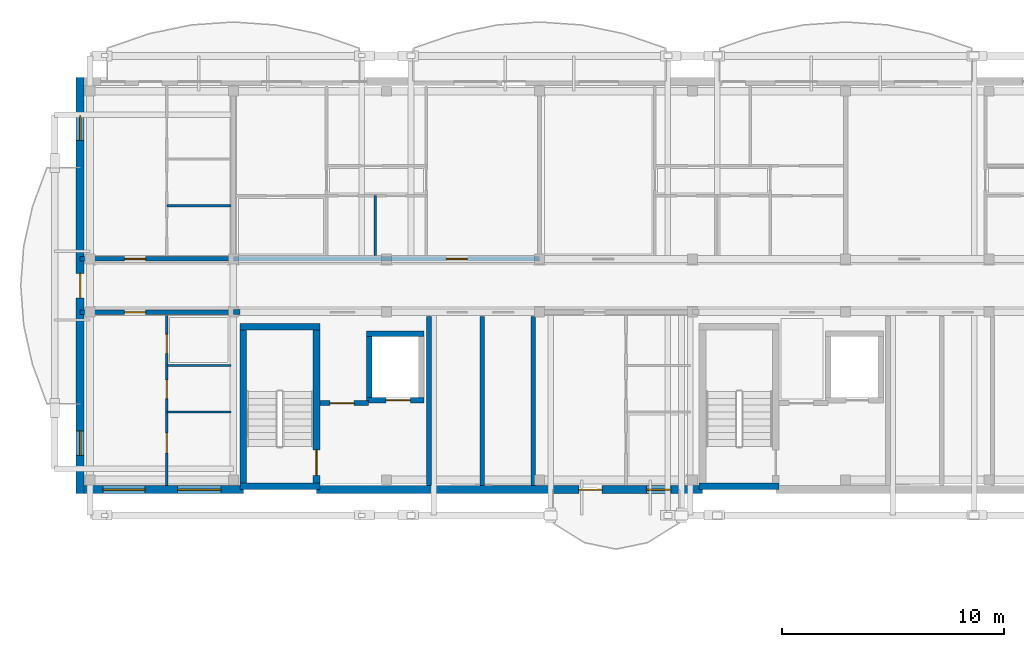
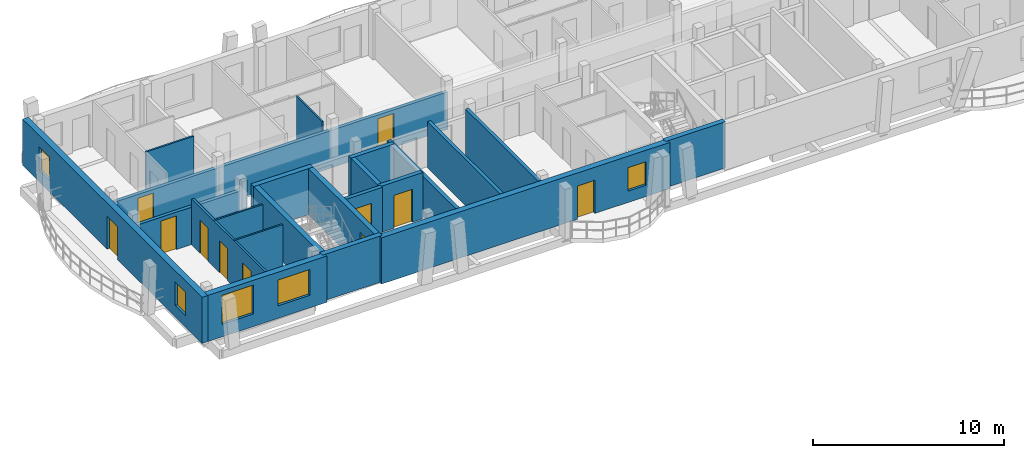
# One storey, part 21 of 48: 24 walls, 11 doors, 5 windows, 16 openings.
"""IFC4 building model written with IfcOpenShell, lengths in metres."""

import ifcopenshell
import ifcopenshell.guid

model = None  # the IFC model being written
_history = None  # IfcOwnerHistory: only IFC2X3 demands one
_inside = {}  # id of a spatial element -> (the spatial element, [elements in it])
_under = {}  # id of a project, library or spatial element -> (it, [spatial elements below it])
_declared = {}  # id of a project -> (the project, [libraries it declares])
_typed = {}  # id of a type object -> (the type object, [elements of that type])
_made_of = {}  # id of a material, layer set ... -> (it, [elements and type objects made of it])


def new_model(schema):
    """Start an empty IFC model of exactly this schema.

    Asked for "IFC4X3", IfcOpenShell would pick the latest addendum, in which some entities
    have other attributes; the version numbers below select the first issue.
    IFC2X3 requires an IfcOwnerHistory on every rooted entity: one is made here for all.
    """
    global model, _history
    if schema == "IFC4X3":
        model = ifcopenshell.file(schema_version=(4, 3, 0, 0))
    else:
        model = ifcopenshell.file(schema=schema)
    _inside.clear()
    _under.clear()
    _declared.clear()
    _typed.clear()
    _made_of.clear()
    _history = None
    if model.schema == "IFC2X3":
        org = make("IfcOrganization", Name="unknown")
        user = make(
            "IfcPersonAndOrganization",
            ThePerson=make("IfcPerson", FamilyName="unknown"),
            TheOrganization=org,
        )
        app = make(
            "IfcApplication",
            ApplicationDeveloper=org,
            Version="unknown",
            ApplicationFullName="unknown",
            ApplicationIdentifier="unknown",
        )
        _history = make(
            "IfcOwnerHistory",
            OwningUser=user,
            OwningApplication=app,
            ChangeAction="ADDED",
            CreationDate=0,
        )
    return model


def make(cls, **values):
    """One entity of the class cls with the attributes given. An attribute that is None is left unset."""
    return model.create_entity(
        cls, **{name: value for name, value in values.items() if value is not None}
    )


def rooted(cls, **values):
    """An entity with a GlobalId (a new one), such as an element, a storey or a relation."""
    return make(cls, GlobalId=ifcopenshell.guid.new(), OwnerHistory=_history, **values)


def si_unit(unit_type, name, prefix=None):
    """IfcSIUnit, for example si_unit("LENGTHUNIT", "METRE", prefix="MILLI")."""
    return make("IfcSIUnit", UnitType=unit_type, Prefix=prefix, Name=name)


def assignment(units):
    """IfcUnitAssignment: the units of a project."""
    return None if units is None else make("IfcUnitAssignment", Units=units)


def point(xyz):
    """IfcCartesianPoint."""
    return None if xyz is None else make("IfcCartesianPoint", Coordinates=xyz)


def direction(xyz):
    """IfcDirection."""
    return None if xyz is None else make("IfcDirection", DirectionRatios=xyz)


def frame(location, z_axis=None, x_axis=None):
    """IfcAxis2Placement3D, a coordinate frame: its origin and axes. An axis left out is left unset."""
    return make(
        "IfcAxis2Placement3D",
        Location=point(location),
        Axis=direction(z_axis),
        RefDirection=direction(x_axis),
    )


def frame_2d(location, x_axis=None):
    """IfcAxis2Placement2D, a coordinate frame in the plane: its origin and x axis."""
    return make(
        "IfcAxis2Placement2D", Location=point(location), RefDirection=direction(x_axis)
    )


def origin():
    """The frame at (0, 0, 0) with its axes left unset."""
    return frame((0.0, 0.0, 0.0))


def origin_with_axes():
    """The frame at (0, 0, 0) with the z axis (0, 0, 1) and the x axis (1, 0, 0) written out."""
    return frame((0.0, 0.0, 0.0), z_axis=(0.0, 0.0, 1.0), x_axis=(1.0, 0.0, 0.0))


def place(relative_to, where):
    """IfcLocalPlacement: puts the frame where relative to a parent placement (None: the world)."""
    return make(
        "IfcLocalPlacement", PlacementRelTo=relative_to, RelativePlacement=where
    )


def context(
    kind, dimensions, precision=None, world=None, true_north=None, identifier=None
):
    """IfcGeometricRepresentationContext, for example the 3D "Model" context."""
    return make(
        "IfcGeometricRepresentationContext",
        ContextIdentifier=identifier,
        ContextType=kind,
        CoordinateSpaceDimension=dimensions,
        Precision=precision,
        WorldCoordinateSystem=world,
        TrueNorth=true_north,
    )


def subcontext(parent, identifier, kind, view, scale=None):
    """IfcGeometricRepresentationSubContext, for example "Body" below "Model"."""
    return make(
        "IfcGeometricRepresentationSubContext",
        ContextIdentifier=identifier,
        ContextType=kind,
        ParentContext=parent,
        TargetScale=scale,
        TargetView=view,
    )


def project(units=None, contexts=None):
    """IfcProject with its units and contexts."""
    return rooted(
        "IfcProject",
        Name="project",
        RepresentationContexts=contexts,
        UnitsInContext=assignment(units),
    )


def spatial(cls, under=None, at=None, **own):
    """A site, building, storey or space (cls), placed at a placement, below another one or the project."""
    s = rooted(cls, ObjectPlacement=at, **own)
    if under is not None:
        _under.setdefault(under.id(), (under, []))[1].append(s)
    return s


def profile(cls, at=None, kind="AREA", **sizes):
    """A parametric profile (cls). Its sizes go by their IFC names, for example OverallWidth=200.0."""
    return make(cls, ProfileType=kind, Position=at, **sizes)


def rectangle(**sizes):
    """IfcRectangleProfileDef."""
    return profile("IfcRectangleProfileDef", **sizes)


def extrude(swept, where, along, depth):
    """IfcExtrudedAreaSolid: the profile swept, set in the frame where, extruded along a direction by depth."""
    return make(
        "IfcExtrudedAreaSolid",
        SweptArea=swept,
        Position=where,
        ExtrudedDirection=direction(along),
        Depth=depth,
    )


def shape(context_of_items, identifier, shape_type, items):
    """IfcShapeRepresentation: the items that make up one representation, for example the "Body"."""
    return make(
        "IfcShapeRepresentation",
        ContextOfItems=context_of_items,
        RepresentationIdentifier=identifier,
        RepresentationType=shape_type,
        Items=items,
    )


def material(Name=None, Category=None):
    """IfcMaterial."""
    return make("IfcMaterial", Name=Name, Category=Category)


def layer(
    of_material, thickness, ventilated=None, Name=None, Category=None, Priority=None
):
    """IfcMaterialLayer: one layer of a wall or slab, of a material (None: an air gap)."""
    return make(
        "IfcMaterialLayer",
        Material=of_material,
        LayerThickness=thickness,
        IsVentilated=ventilated,
        Name=Name,
        Category=Category,
        Priority=Priority,
    )


def layer_set(layers, Name=None):
    """IfcMaterialLayerSet."""
    return make("IfcMaterialLayerSet", MaterialLayers=layers, LayerSetName=Name)


def made_of(thing, what):
    """Note that an element or type object is made of a material, layer set ...; save() writes the relation."""
    if what is not None:
        _made_of.setdefault(what.id(), (what, []))[1].append(thing)
    return thing


def type_object(cls, material=None, **own):
    """A type object (cls), such as IfcWallType, which elements share."""
    return made_of(rooted(cls, **own), material)


def element(
    cls,
    number,
    at=None,
    inside=None,
    cuts=None,
    type_object=None,
    material=None,
    context=None,
    identifier="Body",
    shape_type=None,
    held_by="IfcProductDefinitionShape",
    body=None,
    shapes=None,
    **own,
):
    """One element of the class cls, such as IfcWall. Its Tag is "e" and its number.

    at: its placement. inside: the storey or other place that contains it. cuts: it is an
    opening in that element (IfcRelVoidsElement). A single representation is given by context,
    identifier, shape_type and body (its items); several are given by shapes. held_by: the class
    of the entity that holds the representations. save() writes the other relations.
    """
    e = rooted(cls, Tag="e%d" % number, ObjectPlacement=at, **own)
    if body is not None:
        shapes = [shape(context, identifier, shape_type, body)]
    if shapes is not None:
        e.Representation = make(held_by, Representations=shapes)
    if inside is not None:
        _inside.setdefault(inside.id(), (inside, []))[1].append(e)
    if cuts is not None:
        rooted(
            "IfcRelVoidsElement", RelatingBuildingElement=cuts, RelatedOpeningElement=e
        )
    if type_object is not None:
        _typed.setdefault(type_object.id(), (type_object, []))[1].append(e)
    return made_of(e, material)


def fill(opening, filler):
    """IfcRelFillsElement: the door or window that sits in an opening."""
    return rooted(
        "IfcRelFillsElement",
        RelatingOpeningElement=opening,
        RelatedBuildingElement=filler,
    )


def aggregate(whole, parts):
    """IfcRelAggregates: a whole, such as a stair, and the parts it consists of."""
    return rooted("IfcRelAggregates", RelatingObject=whole, RelatedObjects=parts)


def save(model, path):
    """Write the relations noted so far, then the file.

    IfcRelAggregates (storeys below a building ...), IfcRelContainedInSpatialStructure (elements
    in a storey), IfcRelDefinesByType, IfcRelAssociatesMaterial and IfcRelDeclares: one each for
    every whole, place, type object, material and project.
    """
    for whole, parts in _under.values():
        aggregate(whole, parts)
    for where, things in _inside.values():
        rooted(
            "IfcRelContainedInSpatialStructure",
            RelatedElements=things,
            RelatingStructure=where,
        )
    for kind, things in _typed.values():
        rooted("IfcRelDefinesByType", RelatedObjects=things, RelatingType=kind)
    for what, things in _made_of.values():
        rooted("IfcRelAssociatesMaterial", RelatedObjects=things, RelatingMaterial=what)
    for by, libraries in _declared.values():
        rooted("IfcRelDeclares", RelatingContext=by, RelatedDefinitions=libraries)
    model.write(path)


model = new_model("IFC4")

# Units and contexts
model_context = context("Model", 3, precision=1e-05, world=origin(), true_north=direction((0.0, 1.0)))
body_context = subcontext(model_context, "Body", "Model", "MODEL_VIEW")
ifc_project = project(units=[si_unit("LENGTHUNIT", "METRE"), si_unit("AREAUNIT", "SQUARE_METRE"), si_unit("VOLUMEUNIT", "CUBIC_METRE"), si_unit("PLANEANGLEUNIT", "RADIAN"), si_unit("MASSUNIT", "GRAM", prefix="KILO")], contexts=[model_context])

# Site, building, storey
site_placement = place(None, origin())
site = spatial("IfcSite", under=ifc_project, at=site_placement, CompositionType="ELEMENT")
building_placement = place(site_placement, origin())
building = spatial("IfcBuilding", under=site, at=building_placement, Name="Zavelmont Quarter", CompositionType="ELEMENT")
storey_placement = place(building_placement, frame((0.0, 0.0, 17.60009765625)))
storey = spatial("IfcBuildingStorey", under=building, at=storey_placement, Name="L05", CompositionType="ELEMENT", Elevation=17.60009765625)

# Wall, openings, windows
ifc_material_1 = material(Name="Natural Belgian limestone", Category="masonry")
ifc_layer_1 = layer(ifc_material_1, 0.360107421875)
ifc_layer_set_1 = layer_set([ifc_layer_1], Name="Natural Belgian limestone")
wall_type_1 = type_object("IfcWallType", Name="EW02", PredefinedType="STANDARD", material=ifc_layer_set_1)
wall_1_placement = place(storey_placement, frame((0.169921875, 97.60009765625, 0.0), z_axis=(0.0, 0.0, 1.0), x_axis=(1.0, 0.0, 0.0)))
wall_1 = element("IfcWall", 1, at=wall_1_placement, inside=storey, type_object=wall_type_1, Name="L05 exterior limestone wall EW02", PredefinedType="STANDARD", context=body_context, shape_type="SweptSolid", body=[
    extrude(rectangle(XDim=7.18017578125, YDim=0.360107421875, at=frame_2d((3.590087890625, 0.0))), origin(), (0.0, 0.0, 1.0), 2.949951171875),
])
opening_1_placement = place(wall_1_placement, frame((0.85009765625, 0.0, 0.800048828125)))
opening_1 = element("IfcOpeningElement", 2, at=opening_1_placement, cuts=wall_1, Name="Opening WN20", PredefinedType="OPENING", context=body_context, shape_type="SweptSolid", body=[
    extrude(rectangle(XDim=1.89990234375, YDim=1.85009765625, at=frame_2d((0.949951171875, 0.925048828125))), frame((0.0, 0.19189453125, 0.0), z_axis=(0.0, -1.0, 0.0), x_axis=(1.0, 0.0, 0.0)), (0.0, 0.0, 1.0), 0.384033203125),
])
opening_2_placement = place(wall_1_placement, frame((4.22509765625, 0.0, 0.800048828125)))
opening_2 = element("IfcOpeningElement", 3, at=opening_2_placement, cuts=wall_1, Name="Opening WN24", PredefinedType="OPENING", context=body_context, shape_type="SweptSolid", body=[
    extrude(rectangle(XDim=1.949951171875, YDim=1.64990234375, at=frame_2d((0.97509765625, 0.824951171875))), frame((0.0, 0.19189453125, 0.0), z_axis=(0.0, -1.0, 0.0), x_axis=(1.0, 0.0, 0.0)), (0.0, 0.0, 1.0), 0.384033203125),
])
ifc_material_2 = material(Name="Double low-E insulated glazing in thermally broken aluminium frame", Category="aluminium")
window_type_1 = type_object("IfcWindowType", Name="WN20", PartitioningType="SINGLE_PANEL", PredefinedType="WINDOW", material=ifc_material_2)
window_1_placement = place(opening_1_placement, origin_with_axes())
window_1 = element("IfcWindow", 4, at=window_1_placement, inside=storey, type_object=window_type_1, Name="L05 window WN20", OverallHeight=1.85009765625, OverallWidth=1.89990234375, PartitioningType="SINGLE_PANEL", PredefinedType="WINDOW", context=body_context, shape_type="SweptSolid", body=[
    extrude(rectangle(XDim=1.89990234375, YDim=1.85009765625, at=frame_2d((0.949951171875, 0.925048828125))), frame((0.0, 0.030029296875, 0.0), z_axis=(0.0, -1.0, 0.0), x_axis=(1.0, 0.0, 0.0)), (0.0, 0.0, 1.0), 0.06005859375),
])
fill(opening_1, window_1)
window_type_2 = type_object("IfcWindowType", Name="WN24", PartitioningType="SINGLE_PANEL", PredefinedType="WINDOW", material=ifc_material_2)
window_2_placement = place(opening_2_placement, origin_with_axes())
window_2 = element("IfcWindow", 5, at=window_2_placement, inside=storey, type_object=window_type_2, Name="L05 window WN24", OverallHeight=1.64990234375, OverallWidth=1.949951171875, PartitioningType="SINGLE_PANEL", PredefinedType="WINDOW", context=body_context, shape_type="SweptSolid", body=[
    extrude(rectangle(XDim=1.949951171875, YDim=1.64990234375, at=frame_2d((0.97509765625, 0.824951171875))), frame((0.0, 0.030029296875, 0.0), z_axis=(0.0, -1.0, 0.0), x_axis=(1.0, 0.0, 0.0)), (0.0, 0.0, 1.0), 0.06005859375),
])
fill(opening_2, window_2)

# Wall, openings, door, window
wall_2_placement = place(storey_placement, frame((10.64990234375, 97.60009765625, 0.0), z_axis=(0.0, 0.0, 1.0), x_axis=(1.0, 0.0, 0.0)))
wall_2 = element("IfcWall", 6, at=wall_2_placement, inside=storey, type_object=wall_type_1, Name="L05 exterior limestone wall EW02", PredefinedType="STANDARD", context=body_context, shape_type="SweptSolid", body=[
    extrude(rectangle(XDim=17.400146484375, YDim=0.360107421875, at=frame_2d((8.7001953125, 0.0))), origin(), (0.0, 0.0, 1.0), 2.949951171875),
])
opening_3_placement = place(wall_2_placement, frame((11.820068359375, 0.0, 0.0)))
opening_3 = element("IfcOpeningElement", 7, at=opening_3_placement, cuts=wall_2, Name="Opening DR04A", PredefinedType="OPENING", context=body_context, shape_type="SweptSolid", body=[
    extrude(rectangle(XDim=1.050048828125, YDim=2.1201171875, at=frame_2d((0.52490234375, 1.06005859375))), frame((0.0, 0.19189453125, 0.0), z_axis=(0.0, -1.0, 0.0), x_axis=(1.0, 0.0, 0.0)), (0.0, 0.0, 1.0), 0.384033203125),
])
opening_4_placement = place(wall_2_placement, frame((14.8701171875, 0.0, 0.719970703125)))
opening_4 = element("IfcOpeningElement", 8, at=opening_4_placement, cuts=wall_2, Name="Opening WN09", PredefinedType="OPENING", context=body_context, shape_type="SweptSolid", body=[
    extrude(rectangle(XDim=1.10009765625, YDim=1.5, at=frame_2d((0.550048828125, 0.75))), frame((0.0, 0.19189453125, 0.0), z_axis=(0.0, -1.0, 0.0), x_axis=(1.0, 0.0, 0.0)), (0.0, 0.0, 1.0), 0.384033203125),
])
ifc_material_3 = material(Name="Thermally broken aluminium and double safety glass", Category="aluminium")
door_type_1 = type_object("IfcDoorType", Name="DR04A", OperationType="NOTDEFINED", PredefinedType="DOOR", material=ifc_material_3)
door_1_placement = place(opening_3_placement, origin_with_axes())
door_1 = element("IfcDoor", 9, at=door_1_placement, inside=storey, type_object=door_type_1, Name="Block B L05 glazed balcony door", OperationType="SINGLE_SWING_RIGHT", OverallHeight=2.1201171875, OverallWidth=1.050048828125, PredefinedType="DOOR", context=body_context, shape_type="SweptSolid", body=[
    extrude(rectangle(XDim=1.050048828125, YDim=2.1201171875, at=frame_2d((0.52490234375, 1.06005859375))), frame((0.0, 0.02490234375, 0.0), z_axis=(0.0, -1.0, 0.0), x_axis=(1.0, 0.0, 0.0)), (0.0, 0.0, 1.0), 0.050048828125),
])
fill(opening_3, door_1)
window_type_3 = type_object("IfcWindowType", Name="WN09", PartitioningType="SINGLE_PANEL", PredefinedType="WINDOW", material=ifc_material_2)
window_3_placement = place(opening_4_placement, origin_with_axes())
window_3 = element("IfcWindow", 10, at=window_3_placement, inside=storey, type_object=window_type_3, Name="L05 window WN09", OverallHeight=1.5, OverallWidth=1.10009765625, PartitioningType="SINGLE_PANEL", PredefinedType="WINDOW", context=body_context, shape_type="SweptSolid", body=[
    extrude(rectangle(XDim=1.10009765625, YDim=1.5, at=frame_2d((0.550048828125, 0.75))), frame((0.0, 0.030029296875, 0.0), z_axis=(0.0, -1.0, 0.0), x_axis=(1.0, 0.0, 0.0)), (0.0, 0.0, 1.0), 0.06005859375),
])
fill(opening_4, window_3)

# Wall, openings, door, windows
wall_3_placement = place(storey_placement, frame((0.0, 97.419921875, 0.0), z_axis=(0.0, 0.0, 1.0), x_axis=(0.0, 1.0, 0.0)))
wall_3 = element("IfcWall", 11, at=wall_3_placement, inside=storey, type_object=wall_type_1, Name="L05 exterior limestone wall EW02", PredefinedType="STANDARD", context=body_context, shape_type="SweptSolid", body=[
    extrude(rectangle(XDim=18.760009765625, YDim=0.360107421875, at=frame_2d((9.3798828125, 0.0))), origin(), (0.0, 0.0, 1.0), 2.949951171875),
])
opening_5_placement = place(wall_3_placement, frame((8.830078125, 0.0, 0.0)))
opening_5 = element("IfcOpeningElement", 12, at=opening_5_placement, cuts=wall_3, Name="Opening DR04B", PredefinedType="OPENING", context=body_context, shape_type="SweptSolid", body=[
    extrude(rectangle(XDim=1.10009765625, YDim=2.10009765625, at=frame_2d((0.550048828125, 1.050048828125))), frame((0.0, 0.19189453125, 0.0), z_axis=(0.0, -1.0, 0.0), x_axis=(1.0, 0.0, 0.0)), (0.0, 0.0, 1.0), 0.384033203125),
])
opening_6_placement = place(wall_3_placement, frame((1.72998046875, 0.0, 0.719970703125)))
opening_6 = element("IfcOpeningElement", 13, at=opening_6_placement, cuts=wall_3, Name="Opening WN09", PredefinedType="OPENING", context=body_context, shape_type="SweptSolid", body=[
    extrude(rectangle(XDim=1.10009765625, YDim=1.5, at=frame_2d((0.550048828125, 0.75))), frame((0.0, 0.19189453125, 0.0), z_axis=(0.0, -1.0, 0.0), x_axis=(1.0, 0.0, 0.0)), (0.0, 0.0, 1.0), 0.384033203125),
])
opening_7_placement = place(wall_3_placement, frame((15.929931640625, 0.0, 0.719970703125)))
opening_7 = element("IfcOpeningElement", 14, at=opening_7_placement, cuts=wall_3, Name="Opening WN09", PredefinedType="OPENING", context=body_context, shape_type="SweptSolid", body=[
    extrude(rectangle(XDim=1.10009765625, YDim=1.5, at=frame_2d((0.550048828125, 0.75))), frame((0.0, 0.19189453125, 0.0), z_axis=(0.0, -1.0, 0.0), x_axis=(1.0, 0.0, 0.0)), (0.0, 0.0, 1.0), 0.384033203125),
])
door_type_2 = type_object("IfcDoorType", Name="DR04B", OperationType="NOTDEFINED", PredefinedType="DOOR", material=ifc_material_3)
door_2_placement = place(opening_5_placement, frame((1.10009765625, 0.0, 0.0), z_axis=(0.0, 0.0, 1.0), x_axis=(-1.0, 0.0, 0.0)))
door_2 = element("IfcDoor", 15, at=door_2_placement, inside=storey, type_object=door_type_2, Name="Block B L05 terrace or vase balcony door", OperationType="SINGLE_SWING_RIGHT", OverallHeight=2.10009765625, OverallWidth=1.10009765625, PredefinedType="DOOR", context=body_context, shape_type="SweptSolid", body=[
    extrude(rectangle(XDim=1.10009765625, YDim=2.10009765625, at=frame_2d((0.550048828125, 1.050048828125))), frame((0.0, 0.02490234375, 0.0), z_axis=(0.0, -1.0, 0.0), x_axis=(1.0, 0.0, 0.0)), (0.0, 0.0, 1.0), 0.050048828125),
])
fill(opening_5, door_2)
window_4_placement = place(opening_6_placement, origin_with_axes())
window_4 = element("IfcWindow", 16, at=window_4_placement, inside=storey, type_object=window_type_3, Name="L05 window WN09", OverallHeight=1.5, OverallWidth=1.10009765625, PartitioningType="SINGLE_PANEL", PredefinedType="WINDOW", context=body_context, shape_type="SweptSolid", body=[
    extrude(rectangle(XDim=1.10009765625, YDim=1.5, at=frame_2d((0.550048828125, 0.75))), frame((0.0, 0.030029296875, 0.0), z_axis=(0.0, -1.0, 0.0), x_axis=(1.0, 0.0, 0.0)), (0.0, 0.0, 1.0), 0.06005859375),
])
fill(opening_6, window_4)
window_5_placement = place(opening_7_placement, origin_with_axes())
window_5 = element("IfcWindow", 17, at=window_5_placement, inside=storey, type_object=window_type_3, Name="L05 window WN09", OverallHeight=1.5, OverallWidth=1.10009765625, PartitioningType="SINGLE_PANEL", PredefinedType="WINDOW", context=body_context, shape_type="SweptSolid", body=[
    extrude(rectangle(XDim=1.10009765625, YDim=1.5, at=frame_2d((0.550048828125, 0.75))), frame((0.0, 0.030029296875, 0.0), z_axis=(0.0, -1.0, 0.0), x_axis=(1.0, 0.0, 0.0)), (0.0, 0.0, 1.0), 0.06005859375),
])
fill(opening_7, window_5)

# Walls
ifc_material_4 = material(Name="Calcium-silicate blockwork and acoustic plaster", Category="masonry")
ifc_layer_2 = layer(ifc_material_4, 0.199951171875)
ifc_layer_set_2 = layer_set([ifc_layer_2], Name="Calcium-silicate blockwork and acoustic plaster")
wall_type_2 = type_object("IfcWallType", Name="IW01", PredefinedType="PARTITIONING", material=ifc_layer_set_2)
for number, where, z_axis, x_axis, name in (
    (18, (18.125, 97.800048828125, 0.0), (0.0, 0.0, 1.0), (0.0, 1.0, 0.0), "L05 Service riser divider wall IW01"),
    (19, (20.419921875, 97.800048828125, 0.0), (0.0, 0.0, 1.0), (0.0, 1.0, 0.0), "L05 Core service end wall IW01"),
):
    element("IfcWall", number, at=place(storey_placement, frame(where, z_axis=z_axis, x_axis=x_axis)), inside=storey, type_object=wall_type_2, Name=name, PredefinedType="PARTITIONING", context=body_context, shape_type="SweptSolid", body=[
        extrude(rectangle(XDim=7.599853515625, YDim=0.199951171875, at=frame_2d((3.7998046875, 0.0))), origin(), (0.0, 0.0, 1.0), 2.949951171875),
    ])

# Wall, opening, door
wall_4_placement = place(storey_placement, frame((0.0, 108.0, 0.0), z_axis=(0.0, 0.0, 1.0), x_axis=(1.0, 0.0, 0.0)))
wall_4 = element("IfcWall", 20, at=wall_4_placement, inside=storey, type_object=wall_type_2, Name="L05 Corridor compartment wall IW01", PredefinedType="PARTITIONING", context=body_context, shape_type="SweptSolid", body=[
    extrude(rectangle(XDim=6.89990234375, YDim=0.199951171875, at=frame_2d((3.449951171875, 0.0))), origin(), (0.0, 0.0, 1.0), 2.389892578125),
])
opening_8_placement = place(wall_4_placement, frame((2.0, 0.0, 0.0)))
opening_8 = element("IfcOpeningElement", 21, at=opening_8_placement, cuts=wall_4, Name="Opening DR02", PredefinedType="OPENING", context=body_context, shape_type="SweptSolid", body=[
    extrude(rectangle(XDim=0.949951171875, YDim=2.14990234375, at=frame_2d((0.47509765625, 1.074951171875))), frame((0.0, 0.11181640625, 0.0), z_axis=(0.0, -1.0, 0.0), x_axis=(1.0, 0.0, 0.0)), (0.0, 0.0, 1.0), 0.223876953125),
])
ifc_material_5 = material(Name="Solid-core oak fire leaf in steel frame", Category="steel")
door_type_3 = type_object("IfcDoorType", Name="DR02", OperationType="NOTDEFINED", PredefinedType="DOOR", material=ifc_material_5)
door_3_placement = place(opening_8_placement, origin_with_axes())
door_3 = element("IfcDoor", 22, at=door_3_placement, inside=storey, type_object=door_type_3, Name="L05 door DR02", OperationType="SINGLE_SWING_RIGHT", OverallHeight=2.14990234375, OverallWidth=0.949951171875, PredefinedType="DOOR", context=body_context, shape_type="SweptSolid", body=[
    extrude(rectangle(XDim=0.949951171875, YDim=2.14990234375, at=frame_2d((0.47509765625, 1.074951171875))), frame((0.0, 0.02490234375, 0.0), z_axis=(0.0, -1.0, 0.0), x_axis=(1.0, 0.0, 0.0)), (0.0, 0.0, 1.0), 0.050048828125),
])
fill(opening_8, door_3)

wall_5_placement = place(storey_placement, frame((6.89990234375, 108.0, 0.0), z_axis=(0.0, 0.0, 1.0), x_axis=(1.0, 0.0, 0.0)))
wall_5 = element("IfcWall", 23, at=wall_5_placement, inside=storey, type_object=wall_type_2, Name="L05 Corridor compartment wall IW01", PredefinedType="PARTITIONING", context=body_context, shape_type="SweptSolid", body=[
    extrude(rectangle(XDim=13.800048828125, YDim=0.199951171875, at=frame_2d((6.89990234375, 0.0))), origin(), (0.0, 0.0, 1.0), 2.389892578125),
])
opening_9_placement = place(wall_5_placement, frame((9.60009765625, 0.0, 0.0)))
opening_9 = element("IfcOpeningElement", 24, at=opening_9_placement, cuts=wall_5, Name="Opening DR02", PredefinedType="OPENING", context=body_context, shape_type="SweptSolid", body=[
    extrude(rectangle(XDim=0.949951171875, YDim=2.14990234375, at=frame_2d((0.47509765625, 1.074951171875))), frame((0.0, 0.11181640625, 0.0), z_axis=(0.0, -1.0, 0.0), x_axis=(1.0, 0.0, 0.0)), (0.0, 0.0, 1.0), 0.223876953125),
])
door_4_placement = place(opening_9_placement, origin_with_axes())
door_4 = element("IfcDoor", 25, at=door_4_placement, inside=storey, type_object=door_type_3, Name="L05 door DR02", OperationType="SINGLE_SWING_LEFT", OverallHeight=2.14990234375, OverallWidth=0.949951171875, PredefinedType="DOOR", context=body_context, shape_type="SweptSolid", body=[
    extrude(rectangle(XDim=0.949951171875, YDim=2.14990234375, at=frame_2d((0.47509765625, 1.074951171875))), frame((0.0, 0.02490234375, 0.0), z_axis=(0.0, -1.0, 0.0), x_axis=(1.0, 0.0, 0.0)), (0.0, 0.0, 1.0), 0.050048828125),
])
fill(opening_9, door_4)

wall_6_placement = place(storey_placement, frame((0.0, 105.60009765625, 0.0), z_axis=(0.0, 0.0, 1.0), x_axis=(1.0, 0.0, 0.0)))
wall_6 = element("IfcWall", 26, at=wall_6_placement, inside=storey, type_object=wall_type_2, Name="L05 Corridor compartment wall IW01", PredefinedType="PARTITIONING", context=body_context, shape_type="SweptSolid", body=[
    extrude(rectangle(XDim=6.89990234375, YDim=0.199951171875, at=frame_2d((3.449951171875, 0.0))), origin(), (0.0, 0.0, 1.0), 2.389892578125),
])
opening_10_placement = place(wall_6_placement, frame((2.0, 0.0, 0.0)))
opening_10 = element("IfcOpeningElement", 27, at=opening_10_placement, cuts=wall_6, Name="Opening DR02", PredefinedType="OPENING", context=body_context, shape_type="SweptSolid", body=[
    extrude(rectangle(XDim=0.949951171875, YDim=2.14990234375, at=frame_2d((0.47509765625, 1.074951171875))), frame((0.0, 0.11181640625, 0.0), z_axis=(0.0, -1.0, 0.0), x_axis=(1.0, 0.0, 0.0)), (0.0, 0.0, 1.0), 0.223876953125),
])
door_5_placement = place(opening_10_placement, frame((0.949951171875, 0.0, 0.0), z_axis=(0.0, 0.0, 1.0), x_axis=(-1.0, 0.0, 0.0)))
door_5 = element("IfcDoor", 28, at=door_5_placement, inside=storey, type_object=door_type_3, Name="L05 door DR02", OperationType="SINGLE_SWING_RIGHT", OverallHeight=2.14990234375, OverallWidth=0.949951171875, PredefinedType="DOOR", context=body_context, shape_type="SweptSolid", body=[
    extrude(rectangle(XDim=0.949951171875, YDim=2.14990234375, at=frame_2d((0.47509765625, 1.074951171875))), frame((0.0, 0.02490234375, 0.0), z_axis=(0.0, -1.0, 0.0), x_axis=(1.0, 0.0, 0.0)), (0.0, 0.0, 1.0), 0.050048828125),
])
fill(opening_10, door_5)

# Wall
ifc_material_6 = material(Name="Reinforced masonry fire compartment wall", Category="masonry")
ifc_layer_3 = layer(ifc_material_6, 0.22509765625)
ifc_layer_set_3 = layer_set([ifc_layer_3], Name="Reinforced masonry fire compartment wall")
wall_type_3 = type_object("IfcWallType", Name="IW02", PredefinedType="PARTITIONING", material=ifc_layer_set_3)
wall_7_placement = place(storey_placement, frame((15.7099609375, 97.800048828125, 0.0), z_axis=(0.0, 0.0, 1.0), x_axis=(0.0, 1.0, 0.0)))
element("IfcWall", 29, at=wall_7_placement, inside=storey, type_object=wall_type_3, Name="L05 Firefighting lobby enclosure wall IW02", PredefinedType="PARTITIONING", context=body_context, shape_type="SweptSolid", body=[
    extrude(rectangle(XDim=7.599853515625, YDim=0.22509765625, at=frame_2d((3.7998046875, 0.0))), origin(), (0.0, 0.0, 1.0), 2.58984375),
])

# Wall, opening, door
wall_8_placement = place(storey_placement, frame((10.800048828125, 101.5, 0.0), z_axis=(0.0, 0.0, 1.0), x_axis=(1.0, 0.0, 0.0)))
wall_8 = element("IfcWall", 30, at=wall_8_placement, inside=storey, type_object=wall_type_3, Name="L05 Firefighting lobby threshold wall IW02", PredefinedType="PARTITIONING", context=body_context, shape_type="SweptSolid", body=[
    extrude(rectangle(XDim=2.199951171875, YDim=0.22509765625, at=frame_2d((1.10009765625, 0.0))), origin(), (0.0, 0.0, 1.0), 2.949951171875),
])
opening_11_placement = place(wall_8_placement, frame((0.449951171875, 0.0, 0.0)))
opening_11 = element("IfcOpeningElement", 31, at=opening_11_placement, cuts=wall_8, Name="Opening DR10", PredefinedType="OPENING", context=body_context, shape_type="SweptSolid", body=[
    extrude(rectangle(XDim=1.10009765625, YDim=2.14990234375, at=frame_2d((0.550048828125, 1.074951171875))), frame((0.0, 0.12451171875, 0.0), z_axis=(0.0, -1.0, 0.0), x_axis=(1.0, 0.0, 0.0)), (0.0, 0.0, 1.0), 0.2490234375),
])
ifc_material_7 = material(Name="Painted steel lobby fire door", Category="steel")
door_type_4 = type_object("IfcDoorType", Name="DR10", OperationType="NOTDEFINED", PredefinedType="DOOR", material=ifc_material_7)
door_6_placement = place(opening_11_placement, frame((1.10009765625, 0.0, 0.0), z_axis=(0.0, 0.0, 1.0), x_axis=(-1.0, 0.0, 0.0)))
door_6 = element("IfcDoor", 32, at=door_6_placement, inside=storey, type_object=door_type_4, Name="Firefighting lobby fire door", OperationType="SINGLE_SWING_LEFT", OverallHeight=2.14990234375, OverallWidth=1.10009765625, PredefinedType="DOOR", context=body_context, shape_type="SweptSolid", body=[
    extrude(rectangle(XDim=1.10009765625, YDim=2.14990234375, at=frame_2d((0.550048828125, 1.074951171875))), frame((0.0, 0.02490234375, 0.0), z_axis=(0.0, -1.0, 0.0), x_axis=(1.0, 0.0, 0.0)), (0.0, 0.0, 1.0), 0.050048828125),
])
fill(opening_11, door_6)

# Wall
wall_9_placement = place(storey_placement, frame((6.89990234375, 105.60009765625, 0.0), z_axis=(0.0, 0.0, 1.0), x_axis=(1.0, 0.0, 0.0)))
element("IfcWall", 33, at=wall_9_placement, inside=storey, type_object=wall_type_3, Name="L05 Core corridor wall IW02", PredefinedType="PARTITIONING", context=body_context, shape_type="SweptSolid", body=[
    extrude(rectangle(XDim=0.300048828125, YDim=0.22509765625, at=frame_2d((0.14990234375, 0.0))), origin(), (0.0, 0.0, 1.0), 2.949951171875),
])

# Wall, openings, doors
ifc_material_8 = material(Name="Double gypsum board on acoustic steel stud", Category="steel")
ifc_layer_4 = layer(ifc_material_8, 0.125)
ifc_layer_set_4 = layer_set([ifc_layer_4], Name="Double gypsum board on acoustic steel stud")
wall_type_4 = type_object("IfcWallType", Name="IW03", PredefinedType="PARTITIONING", material=ifc_layer_set_4)
wall_10_placement = place(storey_placement, frame((3.89990234375, 105.449951171875, 0.0), z_axis=(0.0, 0.0, 1.0), x_axis=(0.0, -1.0, 0.0)))
wall_10 = element("IfcWall", 34, at=wall_10_placement, inside=storey, type_object=wall_type_4, Name="L05 Partition IW03", PredefinedType="PARTITIONING", context=body_context, shape_type="SweptSolid", body=[
    extrude(rectangle(XDim=7.64990234375, YDim=0.125, at=frame_2d((3.824951171875, 0.0))), origin(), (0.0, 0.0, 1.0), 2.949951171875),
])
opening_12_placement = place(wall_10_placement, frame((0.85009765625, 0.0, 0.0)))
opening_12 = element("IfcOpeningElement", 35, at=opening_12_placement, cuts=wall_10, Name="Opening DR16", PredefinedType="OPENING", context=body_context, shape_type="SweptSolid", body=[
    extrude(rectangle(XDim=0.85009765625, YDim=2.10009765625, at=frame_2d((0.425048828125, 1.050048828125))), frame((0.0, 0.074462890625, 0.0), z_axis=(0.0, -1.0, 0.0), x_axis=(1.0, 0.0, 0.0)), (0.0, 0.0, 1.0), 0.14892578125),
])
opening_13_placement = place(wall_10_placement, frame((2.89990234375, 0.0, 0.0)))
opening_13 = element("IfcOpeningElement", 36, at=opening_13_placement, cuts=wall_10, Name="Opening DR06", PredefinedType="OPENING", context=body_context, shape_type="SweptSolid", body=[
    extrude(rectangle(XDim=0.85009765625, YDim=2.050048828125, at=frame_2d((0.425048828125, 1.02490234375))), frame((0.0, 0.074462890625, 0.0), z_axis=(0.0, -1.0, 0.0), x_axis=(1.0, 0.0, 0.0)), (0.0, 0.0, 1.0), 0.14892578125),
])
opening_14_placement = place(wall_10_placement, frame((5.300048828125, 0.0, 0.0)))
opening_14 = element("IfcOpeningElement", 37, at=opening_14_placement, cuts=wall_10, Name="Opening DR05", PredefinedType="OPENING", context=body_context, shape_type="SweptSolid", body=[
    extrude(rectangle(XDim=0.89990234375, YDim=2.10009765625, at=frame_2d((0.449951171875, 1.050048828125))), frame((0.0, 0.074462890625, 0.0), z_axis=(0.0, -1.0, 0.0), x_axis=(1.0, 0.0, 0.0)), (0.0, 0.0, 1.0), 0.14892578125),
])
ifc_material_9 = material(Name="Engineered oak flush interior door")
door_type_5 = type_object("IfcDoorType", Name="DR05", OperationType="NOTDEFINED", PredefinedType="DOOR", material=ifc_material_9)
door_7_placement = place(opening_14_placement, origin_with_axes())
door_7 = element("IfcDoor", 38, at=door_7_placement, inside=storey, type_object=door_type_5, Name="L05 door DR05", OperationType="SINGLE_SWING_RIGHT", OverallHeight=2.10009765625, OverallWidth=0.89990234375, PredefinedType="DOOR", context=body_context, shape_type="SweptSolid", body=[
    extrude(rectangle(XDim=0.89990234375, YDim=2.10009765625, at=frame_2d((0.449951171875, 1.050048828125))), frame((0.0, 0.02490234375, 0.0), z_axis=(0.0, -1.0, 0.0), x_axis=(1.0, 0.0, 0.0)), (0.0, 0.0, 1.0), 0.050048828125),
])
fill(opening_14, door_7)
ifc_material_10 = material(Name="Moisture-resistant painted wet-room door")
door_type_6 = type_object("IfcDoorType", Name="DR06", OperationType="NOTDEFINED", PredefinedType="DOOR", material=ifc_material_10)
door_8_placement = place(opening_13_placement, frame((0.85009765625, 0.0, 0.0), z_axis=(0.0, 0.0, 1.0), x_axis=(-1.0, 0.0, 0.0)))
door_8 = element("IfcDoor", 39, at=door_8_placement, inside=storey, type_object=door_type_6, Name="L05 door DR06", OperationType="SINGLE_SWING_LEFT", OverallHeight=2.050048828125, OverallWidth=0.85009765625, PredefinedType="DOOR", context=body_context, shape_type="SweptSolid", body=[
    extrude(rectangle(XDim=0.85009765625, YDim=2.050048828125, at=frame_2d((0.425048828125, 1.02490234375))), frame((0.0, 0.02490234375, 0.0), z_axis=(0.0, -1.0, 0.0), x_axis=(1.0, 0.0, 0.0)), (0.0, 0.0, 1.0), 0.050048828125),
])
fill(opening_13, door_8)
door_type_7 = type_object("IfcDoorType", Name="DR16", OperationType="NOTDEFINED", PredefinedType="DOOR", material=ifc_material_9)
door_9_placement = place(opening_12_placement, origin_with_axes())
door_9 = element("IfcDoor", 40, at=door_9_placement, inside=storey, type_object=door_type_7, Name="L05 door DR16", OperationType="SINGLE_SWING_RIGHT", OverallHeight=2.10009765625, OverallWidth=0.85009765625, PredefinedType="DOOR", context=body_context, shape_type="SweptSolid", body=[
    extrude(rectangle(XDim=0.85009765625, YDim=2.10009765625, at=frame_2d((0.425048828125, 1.050048828125))), frame((0.0, 0.02490234375, 0.0), z_axis=(0.0, -1.0, 0.0), x_axis=(1.0, 0.0, 0.0)), (0.0, 0.0, 1.0), 0.050048828125),
])
fill(opening_12, door_9)

# Walls
ifc_material_11 = material(Name="Moisture-resistant gypsum board on steel stud", Category="steel")
ifc_layer_5 = layer(ifc_material_11, 0.10009765625)
ifc_layer_set_5 = layer_set([ifc_layer_5], Name="Moisture-resistant gypsum board on steel stud")
wall_type_5 = type_object("IfcWallType", Name="IW04", PredefinedType="PARTITIONING", material=ifc_layer_set_5)
wall_11_placement = place(storey_placement, frame((3.89990234375, 110.39990234375, 0.0), z_axis=(0.0, 0.0, 1.0), x_axis=(1.0, 0.0, 0.0)))
element("IfcWall", 41, at=wall_11_placement, inside=storey, type_object=wall_type_5, Name="L05 Partition IW04", PredefinedType="PARTITIONING", context=body_context, shape_type="SweptSolid", body=[
    extrude(rectangle(XDim=2.900146484375, YDim=0.10009765625, at=frame_2d((1.4501953125, 0.0))), origin(), (0.0, 0.0, 1.0), 2.949951171875),
])
wall_12_placement = place(storey_placement, frame((13.300048828125, 108.14990234375, 0.0), z_axis=(0.0, 0.0, 1.0), x_axis=(0.0, 1.0, 0.0)))
element("IfcWall", 42, at=wall_12_placement, inside=storey, type_object=wall_type_5, Name="L05 Partition IW04", PredefinedType="PARTITIONING", context=body_context, shape_type="SweptSolid", body=[
    extrude(rectangle(XDim=2.7001953125, YDim=0.10009765625, at=frame_2d((1.35009765625, 0.0))), origin(), (0.0, 0.0, 1.0), 2.949951171875),
])
for number, where, z_axis, x_axis, name in (
    (43, (3.89990234375, 103.199951171875, 0.0), (0.0, 0.0, 1.0), (1.0, 0.0, 0.0), "L05 Partition IW04"),
    (44, (3.89990234375, 101.10009765625, 0.0), (0.0, 0.0, 1.0), (1.0, 0.0, 0.0), "L05 Partition IW04"),
):
    element("IfcWall", number, at=place(storey_placement, frame(where, z_axis=z_axis, x_axis=x_axis)), inside=storey, type_object=wall_type_5, Name=name, PredefinedType="PARTITIONING", context=body_context, shape_type="SweptSolid", body=[
        extrude(rectangle(XDim=2.900146484375, YDim=0.10009765625, at=frame_2d((1.4501953125, 0.0))), origin(), (0.0, 0.0, 1.0), 2.949951171875),
    ])
ifc_material_12 = material(Name="Concrete C40/50", Category="concrete")
ifc_layer_6 = layer(ifc_material_12, 0.300048828125)
ifc_layer_set_6 = layer_set([ifc_layer_6], Name="Concrete C40/50")
wall_type_6 = type_object("IfcWallType", Name="SW01", PredefinedType="SHEAR", material=ifc_layer_set_6)
wall_13_placement = place(storey_placement, frame((7.199951171875, 104.949951171875, 0.0), z_axis=(0.0, 0.0, 1.0), x_axis=(1.0, 0.0, 0.0)))
element("IfcWall", 45, at=wall_13_placement, inside=storey, type_object=wall_type_6, Name="L05 ST03 corridor shear wall SW01", PredefinedType="SHEAR", context=body_context, shape_type="SweptSolid", body=[
    extrude(rectangle(XDim=3.60009765625, YDim=0.300048828125, at=frame_2d((1.800048828125, 0.0))), origin(), (0.0, 0.0, 1.0), 2.949951171875),
])
wall_14_placement = place(storey_placement, frame((7.35009765625, 97.60009765625, 0.0), z_axis=(0.0, 0.0, 1.0), x_axis=(0.0, 1.0, 0.0)))
element("IfcWall", 46, at=wall_14_placement, inside=storey, type_object=wall_type_6, Name="L05 ST03 west shear wall SW01", PredefinedType="SHEAR", context=body_context, shape_type="SweptSolid", body=[
    extrude(rectangle(XDim=7.5, YDim=0.300048828125, at=frame_2d((3.75, 0.0))), origin(), (0.0, 0.0, 1.0), 2.949951171875),
])

# Wall, opening, door
wall_15_placement = place(storey_placement, frame((10.64990234375, 97.60009765625, 0.0), z_axis=(0.0, 0.0, 1.0), x_axis=(0.0, 1.0, 0.0)))
wall_15 = element("IfcWall", 47, at=wall_15_placement, inside=storey, type_object=wall_type_6, Name="L05 ST03 lobby shear wall SW01", PredefinedType="SHEAR", context=body_context, shape_type="SweptSolid", body=[
    extrude(rectangle(XDim=7.5, YDim=0.300048828125, at=frame_2d((3.75, 0.0))), origin(), (0.0, 0.0, 1.0), 2.949951171875),
])
opening_15_placement = place(wall_15_placement, frame((0.64990234375, 0.0, 0.0)))
opening_15 = element("IfcOpeningElement", 48, at=opening_15_placement, cuts=wall_15, Name="Opening DR09", PredefinedType="OPENING", context=body_context, shape_type="SweptSolid", body=[
    extrude(rectangle(XDim=1.14990234375, YDim=2.14990234375, at=frame_2d((0.574951171875, 1.074951171875))), frame((0.0, 0.162109375, 0.0), z_axis=(0.0, -1.0, 0.0), x_axis=(1.0, 0.0, 0.0)), (0.0, 0.0, 1.0), 0.323974609375),
])
ifc_material_13 = material(Name="Painted steel stair-core fire door", Category="steel")
door_type_8 = type_object("IfcDoorType", Name="DR09", OperationType="NOTDEFINED", PredefinedType="DOOR", material=ifc_material_13)
door_10_placement = place(opening_15_placement, origin_with_axes())
door_10 = element("IfcDoor", 49, at=door_10_placement, inside=storey, type_object=door_type_8, Name="ST03 protected stair door", OperationType="SINGLE_SWING_RIGHT", OverallHeight=2.14990234375, OverallWidth=1.14990234375, PredefinedType="DOOR", context=body_context, shape_type="SweptSolid", body=[
    extrude(rectangle(XDim=1.14990234375, YDim=2.14990234375, at=frame_2d((0.574951171875, 1.074951171875))), frame((0.0, 0.02490234375, 0.0), z_axis=(0.0, -1.0, 0.0), x_axis=(1.0, 0.0, 0.0)), (0.0, 0.0, 1.0), 0.050048828125),
])
fill(opening_15, door_10)

ifc_layer_7 = layer(ifc_material_12, 0.25)
ifc_layer_set_7 = layer_set([ifc_layer_7], Name="Concrete C40/50")
wall_type_7 = type_object("IfcWallType", Name="SW02", PredefinedType="SHEAR", material=ifc_layer_set_7)
wall_16_placement = place(storey_placement, frame((12.89990234375, 101.625, 0.0), z_axis=(0.0, 0.0, 1.0), x_axis=(1.0, 0.0, 0.0)))
wall_16 = element("IfcWall", 50, at=wall_16_placement, inside=storey, type_object=wall_type_7, Name="L05 Lift FL02 landing shaft wall SW02", PredefinedType="SHEAR", context=body_context, shape_type="SweptSolid", body=[
    extrude(rectangle(XDim=2.60009765625, YDim=0.25, at=frame_2d((1.300048828125, 0.0))), origin(), (0.0, 0.0, 1.0), 2.949951171875),
])
opening_16_placement = place(wall_16_placement, frame((0.875, 0.0, 0.0)))
opening_16 = element("IfcOpeningElement", 51, at=opening_16_placement, cuts=wall_16, Name="Opening LD02", PredefinedType="OPENING", context=body_context, shape_type="SweptSolid", body=[
    extrude(rectangle(XDim=1.10009765625, YDim=2.10009765625, at=frame_2d((0.550048828125, 1.050048828125))), frame((0.0, 0.136962890625, 0.0), z_axis=(0.0, -1.0, 0.0), x_axis=(1.0, 0.0, 0.0)), (0.0, 0.0, 1.0), 0.27392578125),
])
ifc_material_14 = material(Name="Brushed stainless-steel firefighting lift landing door", Category="steel")
door_type_9 = type_object("IfcDoorType", Name="LD02", OperationType="SLIDING_TO_LEFT", PredefinedType="DOOR", material=ifc_material_14)
door_11_placement = place(opening_16_placement, origin_with_axes())
door_11 = element("IfcDoor", 52, at=door_11_placement, inside=storey, type_object=door_type_9, Name="Lift FL02 sliding landing door", OperationType="SLIDING_TO_LEFT", OverallHeight=2.10009765625, OverallWidth=1.10009765625, PredefinedType="DOOR", context=body_context, shape_type="SweptSolid", body=[
    extrude(rectangle(XDim=1.10009765625, YDim=2.10009765625, at=frame_2d((0.550048828125, 1.050048828125))), frame((0.0, 0.02490234375, 0.0), z_axis=(0.0, -1.0, 0.0), x_axis=(1.0, 0.0, 0.0)), (0.0, 0.0, 1.0), 0.050048828125),
])
fill(opening_16, door_11)

# Walls
wall_17_placement = place(storey_placement, frame((12.89990234375, 104.625, 0.0), z_axis=(0.0, 0.0, 1.0), x_axis=(1.0, 0.0, 0.0)))
element("IfcWall", 53, at=wall_17_placement, inside=storey, type_object=wall_type_7, Name="L05 Lift FL02 back shaft wall SW02", PredefinedType="SHEAR", context=body_context, shape_type="SweptSolid", body=[
    extrude(rectangle(XDim=2.60009765625, YDim=0.25, at=frame_2d((1.300048828125, 0.0))), origin(), (0.0, 0.0, 1.0), 2.949951171875),
])
wall_18_placement = place(storey_placement, frame((13.02490234375, 101.5, 0.0), z_axis=(0.0, 0.0, 1.0), x_axis=(0.0, 1.0, 0.0)))
element("IfcWall", 54, at=wall_18_placement, inside=storey, type_object=wall_type_7, Name="L05 Lift FL02 west shaft wall SW02", PredefinedType="SHEAR", context=body_context, shape_type="SweptSolid", body=[
    extrude(rectangle(XDim=3.25, YDim=0.25, at=frame_2d((1.625, 0.0))), origin(), (0.0, 0.0, 1.0), 2.949951171875),
])
ifc_layer_8 = layer(ifc_material_12, 0.300048828125)
ifc_layer_set_8 = layer_set([ifc_layer_8], Name="Concrete C40/50")
wall_type_8 = type_object("IfcWallType", Name="SW03", PredefinedType="SHEAR", material=ifc_layer_set_8)
for number, where, z_axis, x_axis, name in (
    (55, (7.199951171875, 97.75, 0.0), (0.0, 0.0, 1.0), (1.0, 0.0, 0.0), "L05 ST03 outer shear wall SW03"),
    (56, (27.89990234375, 97.75, 0.0), (0.0, 0.0, 1.0), (1.0, 0.0, 0.0), "L05 ST04 outer shear wall SW03"),
):
    element("IfcWall", number, at=place(storey_placement, frame(where, z_axis=z_axis, x_axis=x_axis)), inside=storey, type_object=wall_type_8, Name=name, PredefinedType="SHEAR", context=body_context, shape_type="SweptSolid", body=[
        extrude(rectangle(XDim=3.60009765625, YDim=0.300048828125, at=frame_2d((1.800048828125, 0.0))), origin(), (0.0, 0.0, 1.0), 2.949951171875),
    ])

save(model, "model.ifc")
